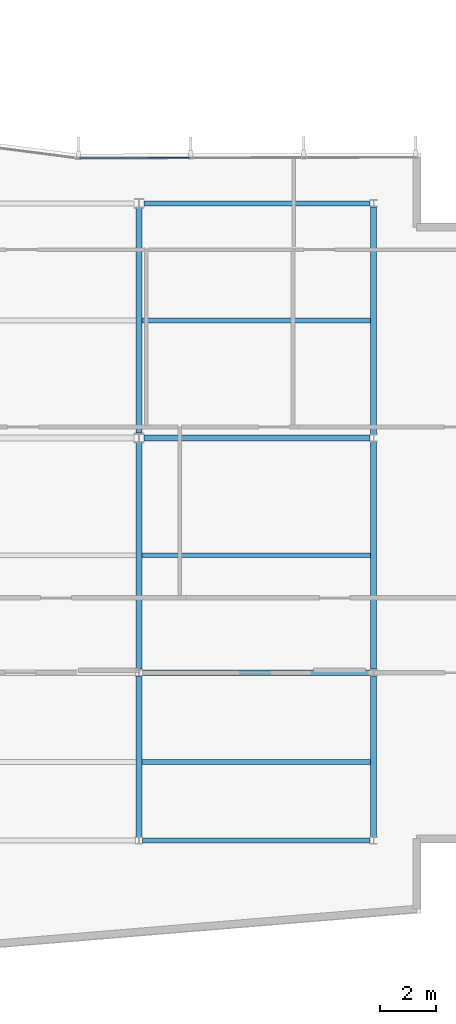
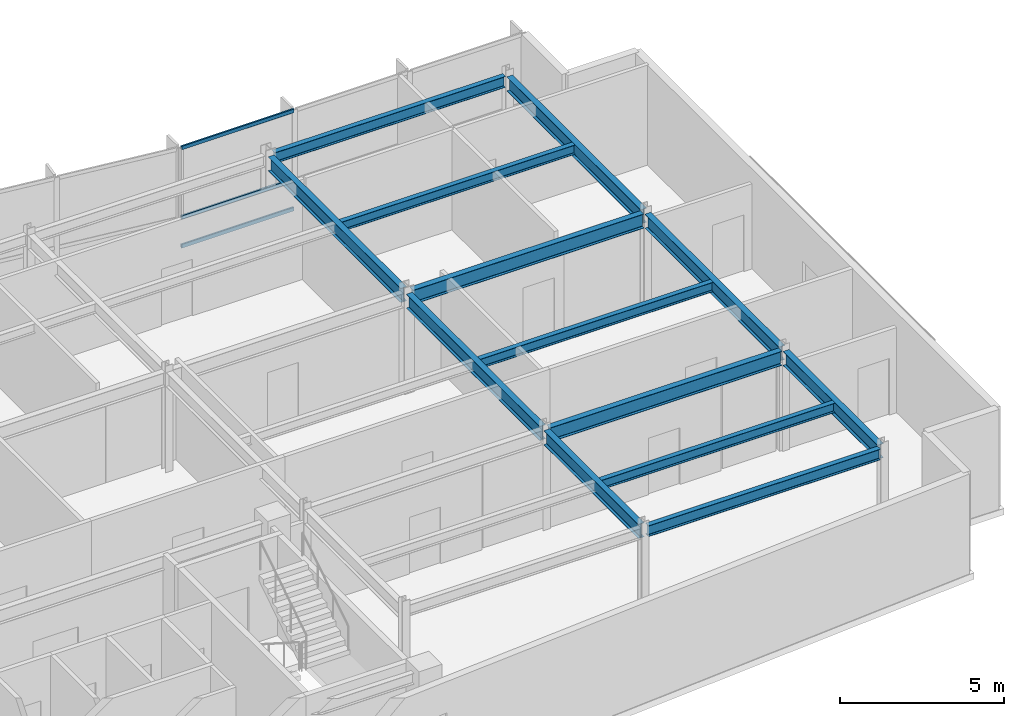
# One storey, part 7 of 15: 13 beams, 3 members, 1 element without a shape of its own.
"""IFC4 building model written with IfcOpenShell, lengths in metres."""

from ifc_helpers import new_model, si_unit, direction, frame, origin, origin_2d, place, context, subcontext, project, spatial, hollow_rectangle, i_section, extrude, material, layer, layer_set, material_profile, profile_set, type_object, element, aggregate, save


model = new_model("IFC4")

# Units and contexts
model_context = context("Model", 3, precision=1e-05, world=origin(), true_north=direction((0.0, 1.0)))
body_context = subcontext(model_context, "Body", "Model", "MODEL_VIEW")
ifc_project = project(units=[si_unit("LENGTHUNIT", "METRE"), si_unit("AREAUNIT", "SQUARE_METRE"), si_unit("VOLUMEUNIT", "CUBIC_METRE"), si_unit("PLANEANGLEUNIT", "RADIAN"), si_unit("MASSUNIT", "GRAM", prefix="KILO")], contexts=[model_context])

# Site, building, storey
site_placement = place(None, origin())
site = spatial("IfcSite", under=ifc_project, at=site_placement, CompositionType="ELEMENT")
building_placement = place(site_placement, origin())
building = spatial("IfcBuilding", under=site, at=building_placement, Name="Varnakote Quay Hospital", CompositionType="ELEMENT")
storey_placement = place(building_placement, frame((0.0, 0.0, 252.60009765625)))
storey = spatial("IfcBuildingStorey", under=building, at=storey_placement, Name="L62", CompositionType="ELEMENT", Elevation=252.60009765625)

# Beams
ifc_material_1 = material(Name="Structural steel AS/NZS 3679.1 Grade 350 L0 (fy 340 MPa)", Category="steel")
ifc_material_profile_1 = material_profile(ifc_material_1, i_section(OverallWidth=0.208984375, OverallDepth=0.528076171875, WebThickness=0.009521484375, FlangeThickness=0.01318359375, FilletRadius=0.013916015625, at=origin_2d()), Name="530UB82.0")
ifc_profile_set_1 = profile_set([ifc_material_profile_1], Name="Structural steel AS/NZS 3679.1 Grade 350 L0 (fy 340 MPa)")
beam_type_1 = type_object("IfcBeamType", Name="BM-STL-530UB82-0", PredefinedType="BEAM", material=ifc_profile_set_1)
beam_1_placement = place(storey_placement, frame((33.72705078125, 12.0, 3.44580078125), z_axis=(1.0, 0.0, 0.0), x_axis=(0.0, 1.0, 0.0)))
element("IfcBeam", 1, at=beam_1_placement, inside=storey, type_object=beam_type_1, Name="L62 Primary Floor Beam", PredefinedType="BEAM", context=body_context, shape_type="SweptSolid", body=[
    extrude(i_section(OverallWidth=0.208984375, OverallDepth=0.528076171875, WebThickness=0.009521484375, FlangeThickness=0.01318359375, FilletRadius=0.013916015625, at=origin_2d()), origin(), (0.0, 0.0, 1.0), 8.14599609375),
])
beam_2_placement = place(storey_placement, frame((33.77490234375, 20.39990234375, 3.44580078125), z_axis=(1.0, 0.0, 0.0), x_axis=(0.0, 1.0, 0.0)))
element("IfcBeam", 2, at=beam_2_placement, inside=storey, type_object=beam_type_1, Name="L62 Primary Floor Beam", PredefinedType="BEAM", context=body_context, shape_type="SweptSolid", body=[
    extrude(i_section(OverallWidth=0.208984375, OverallDepth=0.528076171875, WebThickness=0.009521484375, FlangeThickness=0.01318359375, FilletRadius=0.013916015625, at=origin_2d()), origin(), (0.0, 0.0, 1.0), 8.09814453125),
])
beam_3_placement = place(storey_placement, frame((33.60009765625, 6.126953125, 3.44580078125), z_axis=(0.0, 1.0, 0.0), x_axis=(-1.0, 0.0, 0.0)))
element("IfcBeam", 3, at=beam_3_placement, inside=storey, type_object=beam_type_1, Name="L62 Primary Tie Beam", PredefinedType="BEAM", context=body_context, shape_type="SweptSolid", body=[
    extrude(i_section(OverallWidth=0.208984375, OverallDepth=0.528076171875, WebThickness=0.009521484375, FlangeThickness=0.01318359375, FilletRadius=0.013916015625, at=origin_2d()), origin(), (0.0, 0.0, 1.0), 5.74609375),
])
beam_4_placement = place(storey_placement, frame((33.60009765625, 12.126953125, 3.44580078125), z_axis=(0.0, 1.0, 0.0), x_axis=(-1.0, 0.0, 0.0)))
element("IfcBeam", 4, at=beam_4_placement, inside=storey, type_object=beam_type_1, Name="L62 Primary Tie Beam", PredefinedType="BEAM", context=body_context, shape_type="SweptSolid", body=[
    extrude(i_section(OverallWidth=0.208984375, OverallDepth=0.528076171875, WebThickness=0.009521484375, FlangeThickness=0.01318359375, FilletRadius=0.013916015625, at=origin_2d()), origin(), (0.0, 0.0, 1.0), 8.10302734375),
])
beam_5_placement = place(storey_placement, frame((33.60009765625, 20.570068359375, 3.44580078125), z_axis=(0.0, 1.0, 0.0), x_axis=(-1.0, 0.0, 0.0)))
element("IfcBeam", 5, at=beam_5_placement, inside=storey, type_object=beam_type_1, Name="L62 Primary Tie Beam", PredefinedType="BEAM", context=body_context, shape_type="SweptSolid", body=[
    extrude(i_section(OverallWidth=0.208984375, OverallDepth=0.528076171875, WebThickness=0.009521484375, FlangeThickness=0.01318359375, FilletRadius=0.013916015625, at=origin_2d()), origin(), (0.0, 0.0, 1.0), 8.059814453125),
])
beam_6_placement = place(storey_placement, frame((42.0, 6.126953125, 3.44580078125), z_axis=(0.0, 1.0, 0.0), x_axis=(-1.0, 0.0, 0.0)))
element("IfcBeam", 6, at=beam_6_placement, inside=storey, type_object=beam_type_1, Name="L62 Primary Tie Beam", PredefinedType="BEAM", context=body_context, shape_type="SweptSolid", body=[
    extrude(i_section(OverallWidth=0.208984375, OverallDepth=0.528076171875, WebThickness=0.009521484375, FlangeThickness=0.01318359375, FilletRadius=0.013916015625, at=origin_2d()), origin(), (0.0, 0.0, 1.0), 5.74609375),
])
for number, where, z_axis, x_axis, name in (
    (7, (42.0, 12.126953125, 3.44580078125), (0.0, 1.0, 0.0), (-1.0, 0.0, 0.0), "L62 Primary Tie Beam"),
    (8, (42.0, 20.527099609375, 3.44580078125), (0.0, 1.0, 0.0), (-1.0, 0.0, 0.0), "L62 Primary Tie Beam"),
):
    element("IfcBeam", number, at=place(storey_placement, frame(where, z_axis=z_axis, x_axis=x_axis)), inside=storey, type_object=beam_type_1, Name=name, PredefinedType="BEAM", context=body_context, shape_type="SweptSolid", body=[
        extrude(i_section(OverallWidth=0.208984375, OverallDepth=0.528076171875, WebThickness=0.009521484375, FlangeThickness=0.01318359375, FilletRadius=0.013916015625, at=origin_2d()), origin(), (0.0, 0.0, 1.0), 8.14599609375),
    ])

# Curtain wall, members
ifc_material_2 = material(Name="Anodised aluminium 6063-T6 Bronze", Category="aluminium")
ifc_layer = layer(ifc_material_2, 0.235107421875)
ifc_layer_set = layer_set([ifc_layer], Name="Anodised aluminium 6063-T6 Bronze")
curtain_wall_type = type_object("IfcCurtainWallType", Name="CW-SYS-5", PredefinedType="NOTDEFINED", material=ifc_layer_set)
curtain_wall_placement = place(storey_placement, origin())
curtain_wall = element("IfcCurtainWall", 9, at=curtain_wall_placement, inside=storey, type_object=curtain_wall_type, Name="L62 Unitised Bronze Curtain Wall 1", PredefinedType="NOTDEFINED")
ifc_material_3 = material(Name="Anodised aluminium 6063-T6 Bronze", Category="aluminium")
ifc_material_profile_2 = material_profile(ifc_material_3, hollow_rectangle(XDim=0.06494140625, YDim=0.139892578125, WallThickness=0.00390625, InnerFilletRadius=0.00390625, OuterFilletRadius=0.007568359375, at=origin_2d()), Name="CW-TRAN-140x65")
ifc_profile_set_2 = profile_set([ifc_material_profile_2], Name="Anodised aluminium 6063-T6 Bronze")
member_type = type_object("IfcMemberType", Name="CW-TRAN-140x65", PredefinedType="USERDEFINED", material=ifc_profile_set_2)
member_1_placement = place(storey_placement, frame((35.418212890625, 30.41845703125, 0.032470703125), z_axis=(-0.999996625932, -0.002597715134, 0.0), x_axis=(0.002597715134, -0.999996625932, 0.0)))
member_1 = element("IfcMember", 10, at=member_1_placement, type_object=member_type, Name="-5-L62-1 transom 3.1", ObjectType="TRANSOM", PredefinedType="USERDEFINED", context=body_context, shape_type="SweptSolid", body=[
    extrude(hollow_rectangle(XDim=0.06494140625, YDim=0.139892578125, WallThickness=0.00390625, InnerFilletRadius=0.00390625, OuterFilletRadius=0.007568359375, at=origin_2d()), origin(), (0.0, 0.0, 1.0), 3.947265625),
])
member_2_placement = place(storey_placement, frame((35.418212890625, 30.41845703125, 1.099853515625), z_axis=(-0.999996625932, -0.002597715134, 0.0), x_axis=(0.002597715134, -0.999996625932, 0.0)))
member_2 = element("IfcMember", 11, at=member_2_placement, type_object=member_type, Name="-5-L62-1 transom 3.2", ObjectType="TRANSOM", PredefinedType="USERDEFINED", context=body_context, shape_type="SweptSolid", body=[
    extrude(hollow_rectangle(XDim=0.06494140625, YDim=0.139892578125, WallThickness=0.00390625, InnerFilletRadius=0.00390625, OuterFilletRadius=0.007568359375, at=origin_2d()), origin(), (0.0, 0.0, 1.0), 3.947265625),
])
member_3_placement = place(storey_placement, frame((35.418212890625, 30.41845703125, 3.677490234375), z_axis=(-0.999996625932, -0.002597715134, 0.0), x_axis=(0.002597715134, -0.999996625932, 0.0)))
member_3 = element("IfcMember", 12, at=member_3_placement, type_object=member_type, Name="-5-L62-1 transom 3.3", ObjectType="TRANSOM", PredefinedType="USERDEFINED", context=body_context, shape_type="SweptSolid", body=[
    extrude(hollow_rectangle(XDim=0.06494140625, YDim=0.139892578125, WallThickness=0.00390625, InnerFilletRadius=0.00390625, OuterFilletRadius=0.007568359375, at=origin_2d()), origin(), (0.0, 0.0, 1.0), 3.947265625),
])
aggregate(curtain_wall, [member_1, member_2, member_3])

# Beams
ifc_material_4 = material(Name="Structural steel AS/NZS 3679.1 Grade 350 L0 (fy 340 MPa)", Category="steel")
ifc_material_profile_3 = material_profile(ifc_material_4, i_section(OverallWidth=0.1708984375, OverallDepth=0.35595703125, WebThickness=0.00732421875, FlangeThickness=0.011474609375, FilletRadius=0.011474609375, at=origin_2d()), Name="360UB50.7")
ifc_profile_set_3 = profile_set([ifc_material_profile_3], Name="Structural steel AS/NZS 3679.1 Grade 350 L0 (fy 340 MPa)")
beam_type_2 = type_object("IfcBeamType", Name="JST-STL-360UB50-7", PredefinedType="JOIST", material=ifc_profile_set_3)
for number, where, z_axis, x_axis, name in (
    (13, (33.70458984375, 8.800048828125, 3.531982421875), (1.0, 0.0, 0.0), (0.0, 1.0, 0.0), "L62 Composite Floor Joist"),
    (14, (33.70458984375, 16.199951171875, 3.531982421875), (1.0, 0.0, 0.0), (0.0, 1.0, 0.0), "L62 Composite Floor Joist"),
    (15, (33.70458984375, 24.60009765625, 3.531982421875), (1.0, 0.0, 0.0), (0.0, 1.0, 0.0), "L62 Composite Floor Joist"),
):
    element("IfcBeam", number, at=place(storey_placement, frame(where, z_axis=z_axis, x_axis=x_axis)), inside=storey, type_object=beam_type_2, Name=name, PredefinedType="JOIST", context=body_context, shape_type="SweptSolid", body=[
        extrude(i_section(OverallWidth=0.1708984375, OverallDepth=0.35595703125, WebThickness=0.00732421875, FlangeThickness=0.011474609375, FilletRadius=0.011474609375, at=origin_2d()), origin(), (0.0, 0.0, 1.0), 8.19091796875),
    ])
ifc_material_5 = material(Name="Structural steel AS/NZS 3679.1 Grade 350 L0 (fy 340 MPa)", Category="steel")
ifc_material_profile_4 = material_profile(ifc_material_5, i_section(OverallWidth=0.177978515625, OverallDepth=0.406005859375, WebThickness=0.0078125, FlangeThickness=0.0126953125, FilletRadius=0.011474609375, at=origin_2d()), Name="410UB59.7")
ifc_profile_set_4 = profile_set([ifc_material_profile_4], Name="Structural steel AS/NZS 3679.1 Grade 350 L0 (fy 340 MPa)")
beam_type_3 = type_object("IfcBeamType", Name="SPN-STL-410UB59-7", PredefinedType="SPANDREL", material=ifc_profile_set_4)
beam_7_placement = place(storey_placement, frame((33.72705078125, 6.0, 3.5068359375), z_axis=(1.0, 0.0, 0.0), x_axis=(0.0, 1.0, 0.0)))
element("IfcBeam", 16, at=beam_7_placement, inside=storey, type_object=beam_type_3, Name="L62 Perimeter Spandrel Beam", PredefinedType="SPANDREL", context=body_context, shape_type="SweptSolid", body=[
    extrude(i_section(OverallWidth=0.177978515625, OverallDepth=0.406005859375, WebThickness=0.0078125, FlangeThickness=0.0126953125, FilletRadius=0.011474609375, at=origin_2d()), origin(), (0.0, 0.0, 1.0), 8.14599609375),
])
beam_8_placement = place(storey_placement, frame((33.77490234375, 28.800048828125, 3.5068359375), z_axis=(1.0, 0.0, 0.0), x_axis=(0.0, 1.0, 0.0)))
element("IfcBeam", 17, at=beam_8_placement, inside=storey, type_object=beam_type_3, Name="L62 Perimeter Spandrel Beam", PredefinedType="SPANDREL", context=body_context, shape_type="SweptSolid", body=[
    extrude(i_section(OverallWidth=0.177978515625, OverallDepth=0.406005859375, WebThickness=0.0078125, FlangeThickness=0.0126953125, FilletRadius=0.011474609375, at=origin_2d()), origin(), (0.0, 0.0, 1.0), 8.09814453125),
])

save(model, "model.ifc")
